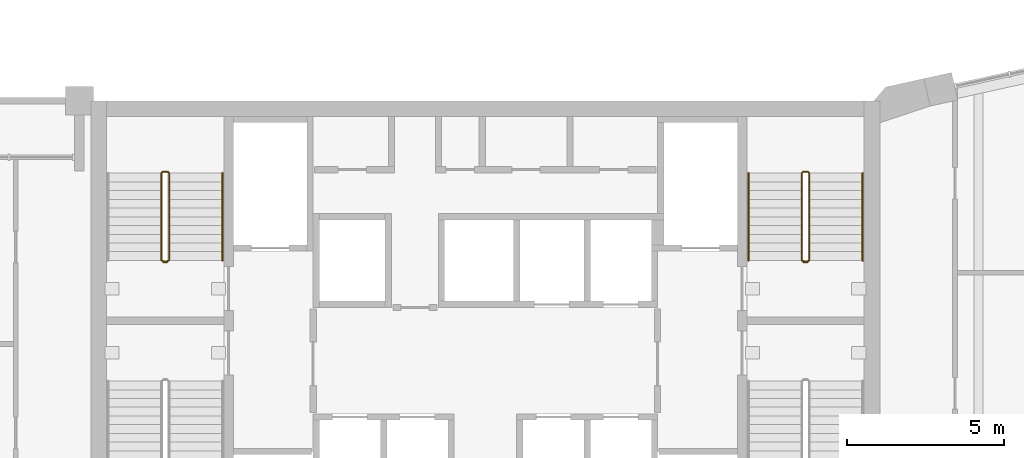
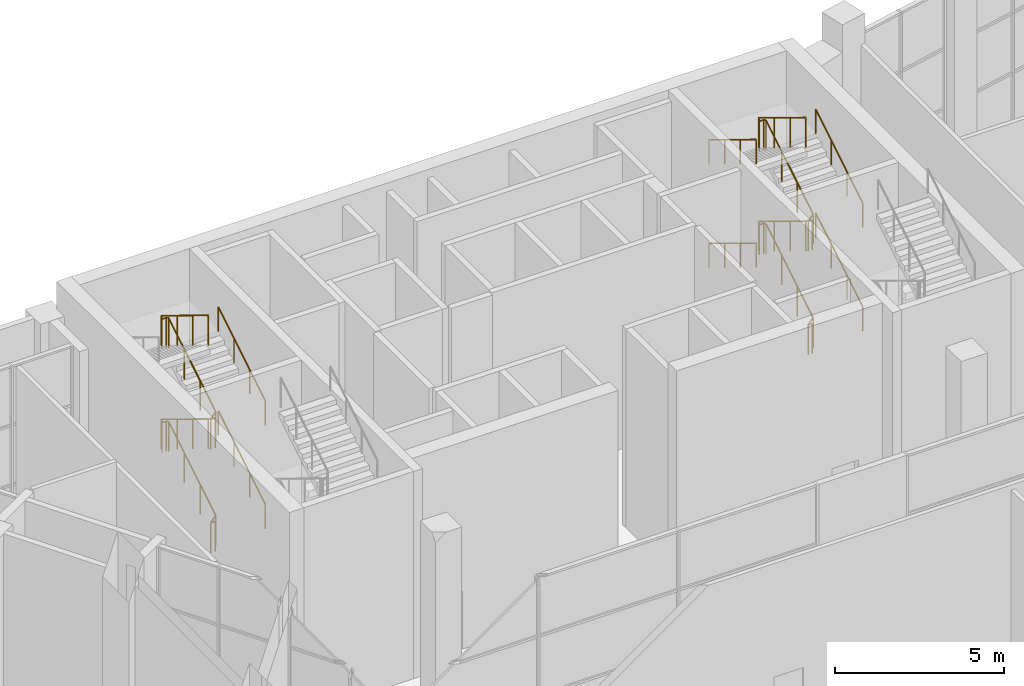
# One storey, part 14 of 14: 8 railings.
"""IFC4 building model written with IfcOpenShell, lengths in metres."""

from ifc_helpers import new_model, si_unit, direction, frame, origin, origin_2d, place, context, subcontext, project, spatial, circle, extrude, material, type_object, element, save


model = new_model("IFC4")

# Units and contexts
model_context = context("Model", 3, precision=1e-05, world=origin(), true_north=direction((0.0, 1.0)))
body_context = subcontext(model_context, "Body", "Model", "MODEL_VIEW")
ifc_project = project(units=[si_unit("LENGTHUNIT", "METRE"), si_unit("AREAUNIT", "SQUARE_METRE"), si_unit("VOLUMEUNIT", "CUBIC_METRE"), si_unit("PLANEANGLEUNIT", "RADIAN"), si_unit("MASSUNIT", "GRAM", prefix="KILO")], contexts=[model_context])

# Site, building, storey
site_placement = place(None, origin())
site = spatial("IfcSite", under=ifc_project, at=site_placement, CompositionType="ELEMENT")
building_placement = place(site_placement, origin())
building = spatial("IfcBuilding", under=site, at=building_placement, Name="Calabash Gate Tower", CompositionType="ELEMENT")
storey_placement = place(building_placement, frame((0.0, 0.0, 295.0)))
storey = spatial("IfcBuildingStorey", under=building, at=storey_placement, Name="L71", CompositionType="ELEMENT", Elevation=295.0)

# Railings
ifc_material_1 = material(Name="Black powder-coated steel balusters", Category="steel")
railing_type_1 = type_object("IfcRailingType", Name="Stair guard RL1100", PredefinedType="GUARDRAIL", material=ifc_material_1)
railing_1_placement = place(storey_placement, frame((-10.14990234375, 13.902587890625, 0.0)))
element("IfcRailing", 1, at=railing_1_placement, inside=storey, type_object=railing_type_1, Name="L71 ST1 stair guard 1", PredefinedType="GUARDRAIL", context=body_context, shape_type="SweptSolid", body=[
    extrude(circle(Radius=0.02392578125, at=origin_2d()), frame((0.0, 0.0, 1.076171875), z_axis=(-1.0, 0.0, 0.0), x_axis=(0.0, -1.0, 0.0)), (0.0, 0.0, 1.0), 0.150146484375),
    extrude(circle(Radius=0.02392578125, at=origin_2d()), frame((-0.150146484375, 0.0, 1.076171875), z_axis=(0.747644406186, 0.18713932023, 0.637186563514), x_axis=(-0.242814311512, 0.970072785993, 0.0)), (0.0, 0.0, 1.0), 0.267333984375),
    extrude(circle(Radius=0.02392578125, at=origin_2d()), frame((0.0498046875, 0.050048828125, 1.24658203125), z_axis=(0.0, 0.853340893827, 0.521353353229), x_axis=(-1.0, 0.0, 0.0)), (0.0, 0.0, 1.0), 3.26953125),
    extrude(circle(Radius=0.02392578125, at=origin_2d()), frame((0.0498046875, 2.840087890625, 2.951171875), z_axis=(-0.707106781187, 0.707106781187, 0.0), x_axis=(-0.707106781187, -0.707106781187, 0.0)), (0.0, 0.0, 1.0), 0.0703125),
    extrude(circle(Radius=0.02392578125, at=origin_2d()), frame((0.0, 2.889892578125, 2.951171875), z_axis=(-1.0, 0.0, 0.0), x_axis=(0.0, -1.0, 0.0)), (0.0, 0.0, 1.0), 0.150146484375),
    extrude(circle(Radius=0.02392578125, at=origin_2d()), frame((-0.150146484375, 2.889892578125, 2.951171875), z_axis=(-0.271328091682, -0.270004540015, 0.923839063385), x_axis=(0.705375805398, -0.708833529934, 0.0)), (0.0, 0.0, 1.0), 0.1845703125),
    extrude(circle(Radius=0.02392578125, at=origin_2d()), frame((-0.2001953125, 2.840087890625, 3.12158203125), z_axis=(0.0, -0.853340893827, 0.521353353229), x_axis=(1.0, 0.0, 0.0)), (0.0, 0.0, 1.0), 3.26953125),
    extrude(circle(Radius=0.02392578125, at=origin_2d()), frame((-0.2001953125, 0.050048828125, 4.826171875), z_axis=(0.970142500145, -0.242535625036, 0.0), x_axis=(0.242535625036, 0.970142500145, 0.0)), (0.0, 0.0, 1.0), 0.206298828125),
    extrude(circle(Radius=0.02392578125, at=origin_2d()), frame((0.0, 0.0, 4.826171875), z_axis=(-1.0, 0.0, 0.0), x_axis=(0.0, -1.0, 0.0)), (0.0, 0.0, 1.0), 0.150146484375),
    extrude(circle(Radius=0.02392578125, at=origin_2d()), frame((-0.150146484375, 0.0, 4.826171875), z_axis=(0.747644406186, 0.18713932023, 0.637186563514), x_axis=(-0.242814311512, 0.970072785993, 0.0)), (0.0, 0.0, 1.0), 0.267333984375),
    extrude(circle(Radius=0.02392578125, at=origin_2d()), frame((0.0498046875, 0.050048828125, 4.99658203125), z_axis=(0.0, 0.853340893827, 0.521353353229), x_axis=(-1.0, 0.0, 0.0)), (0.0, 0.0, 1.0), 3.26953125),
    extrude(circle(Radius=0.02392578125, at=origin_2d()), frame((0.0498046875, 2.840087890625, 6.701171875), z_axis=(-0.707106781187, 0.707106781187, 0.0), x_axis=(-0.707106781187, -0.707106781187, 0.0)), (0.0, 0.0, 1.0), 0.0703125),
    extrude(circle(Radius=0.02392578125, at=origin_2d()), frame((0.0, 2.889892578125, 6.701171875), z_axis=(-1.0, 0.0, 0.0), x_axis=(0.0, -1.0, 0.0)), (0.0, 0.0, 1.0), 0.150146484375),
    extrude(circle(Radius=0.02392578125, at=origin_2d()), frame((-0.150146484375, 2.889892578125, 6.701171875), z_axis=(-0.271328091682, -0.270004540015, 0.923839063385), x_axis=(0.705375805398, -0.708833529934, 0.0)), (0.0, 0.0, 1.0), 0.1845703125),
    extrude(circle(Radius=0.02392578125, at=origin_2d()), frame((-0.2001953125, 2.840087890625, 6.87158203125), z_axis=(0.0, -0.853340893827, 0.521353353229), x_axis=(1.0, 0.0, 0.0)), (0.0, 0.0, 1.0), 3.26953125),
    extrude(circle(Radius=0.02099609375, at=origin_2d()), origin(), (0.0, 0.0, 1.0), 1.052001953125),
    extrude(circle(Radius=0.02099609375, at=origin_2d()), frame((-0.150146484375, 0.0, 0.0)), (0.0, 0.0, 1.0), 1.052001953125),
    extrude(circle(Radius=0.02099609375, at=origin_2d()), frame((0.0498046875, 0.050048828125, 0.17041015625)), (0.0, 0.0, 1.0), 1.052001953125),
    extrude(circle(Radius=0.02099609375, at=origin_2d()), frame((0.0498046875, 0.97998046875, 0.738525390625)), (0.0, 0.0, 1.0), 1.052001953125),
    extrude(circle(Radius=0.02099609375, at=origin_2d()), frame((0.0498046875, 1.91015625, 1.306884765625)), (0.0, 0.0, 1.0), 1.052001953125),
    extrude(circle(Radius=0.02099609375, at=origin_2d()), frame((0.0498046875, 2.840087890625, 1.875)), (0.0, 0.0, 1.0), 1.052001953125),
    extrude(circle(Radius=0.02099609375, at=origin_2d()), frame((0.0, 2.889892578125, 1.875)), (0.0, 0.0, 1.0), 1.052001953125),
    extrude(circle(Radius=0.02099609375, at=origin_2d()), frame((-0.150146484375, 2.889892578125, 1.875)), (0.0, 0.0, 1.0), 1.052001953125),
    extrude(circle(Radius=0.02099609375, at=origin_2d()), frame((-0.2001953125, 2.840087890625, 2.04541015625)), (0.0, 0.0, 1.0), 1.052001953125),
    extrude(circle(Radius=0.02099609375, at=origin_2d()), frame((-0.2001953125, 1.91015625, 2.613525390625)), (0.0, 0.0, 1.0), 1.052001953125),
    extrude(circle(Radius=0.02099609375, at=origin_2d()), frame((-0.2001953125, 0.97998046875, 3.181884765625)), (0.0, 0.0, 1.0), 1.052001953125),
    extrude(circle(Radius=0.02099609375, at=origin_2d()), frame((-0.2001953125, 0.050048828125, 3.75)), (0.0, 0.0, 1.0), 1.052001953125),
    extrude(circle(Radius=0.02099609375, at=origin_2d()), frame((0.0, 0.0, 3.75)), (0.0, 0.0, 1.0), 1.052001953125),
    extrude(circle(Radius=0.02099609375, at=origin_2d()), frame((-0.150146484375, 0.0, 3.75)), (0.0, 0.0, 1.0), 1.052001953125),
    extrude(circle(Radius=0.02099609375, at=origin_2d()), frame((0.0498046875, 0.050048828125, 3.92041015625)), (0.0, 0.0, 1.0), 1.052001953125),
    extrude(circle(Radius=0.02099609375, at=origin_2d()), frame((0.0498046875, 0.97998046875, 4.488525390625)), (0.0, 0.0, 1.0), 1.052001953125),
    extrude(circle(Radius=0.02099609375, at=origin_2d()), frame((0.0498046875, 1.91015625, 5.056884765625)), (0.0, 0.0, 1.0), 1.052001953125),
    extrude(circle(Radius=0.02099609375, at=origin_2d()), frame((0.0498046875, 2.840087890625, 5.625)), (0.0, 0.0, 1.0), 1.052001953125),
    extrude(circle(Radius=0.02099609375, at=origin_2d()), frame((0.0, 2.889892578125, 5.625)), (0.0, 0.0, 1.0), 1.052001953125),
    extrude(circle(Radius=0.02099609375, at=origin_2d()), frame((-0.150146484375, 2.889892578125, 5.625)), (0.0, 0.0, 1.0), 1.052001953125),
    extrude(circle(Radius=0.02099609375, at=origin_2d()), frame((-0.2001953125, 2.840087890625, 5.79541015625)), (0.0, 0.0, 1.0), 1.052001953125),
    extrude(circle(Radius=0.02099609375, at=origin_2d()), frame((-0.2001953125, 1.91015625, 6.363525390625)), (0.0, 0.0, 1.0), 1.052001953125),
    extrude(circle(Radius=0.02099609375, at=origin_2d()), frame((-0.2001953125, 0.97998046875, 6.931884765625)), (0.0, 0.0, 1.0), 1.052001953125),
    extrude(circle(Radius=0.02099609375, at=origin_2d()), frame((-0.2001953125, 0.050048828125, 7.5)), (0.0, 0.0, 1.0), 1.052001953125),
])
railing_2_placement = place(storey_placement, frame((10.300048828125, 13.902587890625, 0.0)))
element("IfcRailing", 2, at=railing_2_placement, inside=storey, type_object=railing_type_1, Name="L71 ST3 stair guard 1", PredefinedType="GUARDRAIL", context=body_context, shape_type="SweptSolid", body=[
    extrude(circle(Radius=0.02392578125, at=origin_2d()), frame((0.0, 0.0, 1.076171875), z_axis=(-1.0, 0.0, 0.0), x_axis=(0.0, -1.0, 0.0)), (0.0, 0.0, 1.0), 0.150146484375),
    extrude(circle(Radius=0.02392578125, at=origin_2d()), frame((-0.150146484375, 0.0, 1.076171875), z_axis=(0.748046597492, 0.187011649373, 0.636751859816), x_axis=(-0.242535625036, 0.970142500145, 0.0)), (0.0, 0.0, 1.0), 0.267578125),
    extrude(circle(Radius=0.02392578125, at=origin_2d()), frame((0.050048828125, 0.050048828125, 1.24658203125), z_axis=(0.0, 0.853340893827, 0.521353353229), x_axis=(-1.0, 0.0, 0.0)), (0.0, 0.0, 1.0), 3.26953125),
    extrude(circle(Radius=0.02392578125, at=origin_2d()), frame((0.050048828125, 2.840087890625, 2.951171875), z_axis=(-0.708833529934, 0.705375805398, 0.0), x_axis=(-0.705375805398, -0.708833529934, 0.0)), (0.0, 0.0, 1.0), 0.070556640625),
    extrude(circle(Radius=0.02392578125, at=origin_2d()), frame((0.0, 2.889892578125, 2.951171875), z_axis=(-1.0, 0.0, 0.0), x_axis=(0.0, -1.0, 0.0)), (0.0, 0.0, 1.0), 0.150146484375),
    extrude(circle(Radius=0.02392578125, at=origin_2d()), frame((-0.150146484375, 2.889892578125, 2.951171875), z_axis=(-0.27010131868, -0.27010131868, 0.924170198229), x_axis=(0.707106781187, -0.707106781187, 0.0)), (0.0, 0.0, 1.0), 0.184326171875),
    extrude(circle(Radius=0.02392578125, at=origin_2d()), frame((-0.199951171875, 2.840087890625, 3.12158203125), z_axis=(0.0, -0.853340893827, 0.521353353229), x_axis=(1.0, 0.0, 0.0)), (0.0, 0.0, 1.0), 3.26953125),
    extrude(circle(Radius=0.02392578125, at=origin_2d()), frame((-0.199951171875, 0.050048828125, 4.826171875), z_axis=(0.970072785993, -0.242814311512, 0.0), x_axis=(0.242814311512, 0.970072785993, 0.0)), (0.0, 0.0, 1.0), 0.2060546875),
    extrude(circle(Radius=0.02392578125, at=origin_2d()), frame((0.0, 0.0, 4.826171875), z_axis=(-1.0, 0.0, 0.0), x_axis=(0.0, -1.0, 0.0)), (0.0, 0.0, 1.0), 0.150146484375),
    extrude(circle(Radius=0.02392578125, at=origin_2d()), frame((-0.150146484375, 0.0, 4.826171875), z_axis=(0.748046597492, 0.187011649373, 0.636751859816), x_axis=(-0.242535625036, 0.970142500145, 0.0)), (0.0, 0.0, 1.0), 0.267578125),
    extrude(circle(Radius=0.02392578125, at=origin_2d()), frame((0.050048828125, 0.050048828125, 4.99658203125), z_axis=(0.0, 0.853340893827, 0.521353353229), x_axis=(-1.0, 0.0, 0.0)), (0.0, 0.0, 1.0), 3.26953125),
    extrude(circle(Radius=0.02392578125, at=origin_2d()), frame((0.050048828125, 2.840087890625, 6.701171875), z_axis=(-0.708833529934, 0.705375805398, 0.0), x_axis=(-0.705375805398, -0.708833529934, 0.0)), (0.0, 0.0, 1.0), 0.070556640625),
    extrude(circle(Radius=0.02392578125, at=origin_2d()), frame((0.0, 2.889892578125, 6.701171875), z_axis=(-1.0, 0.0, 0.0), x_axis=(0.0, -1.0, 0.0)), (0.0, 0.0, 1.0), 0.150146484375),
    extrude(circle(Radius=0.02392578125, at=origin_2d()), frame((-0.150146484375, 2.889892578125, 6.701171875), z_axis=(-0.27010131868, -0.27010131868, 0.924170198229), x_axis=(0.707106781187, -0.707106781187, 0.0)), (0.0, 0.0, 1.0), 0.184326171875),
    extrude(circle(Radius=0.02392578125, at=origin_2d()), frame((-0.199951171875, 2.840087890625, 6.87158203125), z_axis=(0.0, -0.853340893827, 0.521353353229), x_axis=(1.0, 0.0, 0.0)), (0.0, 0.0, 1.0), 3.26953125),
    extrude(circle(Radius=0.02099609375, at=origin_2d()), origin(), (0.0, 0.0, 1.0), 1.052001953125),
    extrude(circle(Radius=0.02099609375, at=origin_2d()), frame((-0.150146484375, 0.0, 0.0)), (0.0, 0.0, 1.0), 1.052001953125),
    extrude(circle(Radius=0.02099609375, at=origin_2d()), frame((0.050048828125, 0.050048828125, 0.17041015625)), (0.0, 0.0, 1.0), 1.052001953125),
    extrude(circle(Radius=0.02099609375, at=origin_2d()), frame((0.050048828125, 0.97998046875, 0.738525390625)), (0.0, 0.0, 1.0), 1.052001953125),
    extrude(circle(Radius=0.02099609375, at=origin_2d()), frame((0.050048828125, 1.91015625, 1.306884765625)), (0.0, 0.0, 1.0), 1.052001953125),
    extrude(circle(Radius=0.02099609375, at=origin_2d()), frame((0.050048828125, 2.840087890625, 1.875)), (0.0, 0.0, 1.0), 1.052001953125),
    extrude(circle(Radius=0.02099609375, at=origin_2d()), frame((0.0, 2.889892578125, 1.875)), (0.0, 0.0, 1.0), 1.052001953125),
    extrude(circle(Radius=0.02099609375, at=origin_2d()), frame((-0.150146484375, 2.889892578125, 1.875)), (0.0, 0.0, 1.0), 1.052001953125),
    extrude(circle(Radius=0.02099609375, at=origin_2d()), frame((-0.199951171875, 2.840087890625, 2.04541015625)), (0.0, 0.0, 1.0), 1.052001953125),
    extrude(circle(Radius=0.02099609375, at=origin_2d()), frame((-0.199951171875, 1.91015625, 2.613525390625)), (0.0, 0.0, 1.0), 1.052001953125),
    extrude(circle(Radius=0.02099609375, at=origin_2d()), frame((-0.199951171875, 0.97998046875, 3.181884765625)), (0.0, 0.0, 1.0), 1.052001953125),
    extrude(circle(Radius=0.02099609375, at=origin_2d()), frame((-0.199951171875, 0.050048828125, 3.75)), (0.0, 0.0, 1.0), 1.052001953125),
    extrude(circle(Radius=0.02099609375, at=origin_2d()), frame((0.0, 0.0, 3.75)), (0.0, 0.0, 1.0), 1.052001953125),
    extrude(circle(Radius=0.02099609375, at=origin_2d()), frame((-0.150146484375, 0.0, 3.75)), (0.0, 0.0, 1.0), 1.052001953125),
    extrude(circle(Radius=0.02099609375, at=origin_2d()), frame((0.050048828125, 0.050048828125, 3.92041015625)), (0.0, 0.0, 1.0), 1.052001953125),
    extrude(circle(Radius=0.02099609375, at=origin_2d()), frame((0.050048828125, 0.97998046875, 4.488525390625)), (0.0, 0.0, 1.0), 1.052001953125),
    extrude(circle(Radius=0.02099609375, at=origin_2d()), frame((0.050048828125, 1.91015625, 5.056884765625)), (0.0, 0.0, 1.0), 1.052001953125),
    extrude(circle(Radius=0.02099609375, at=origin_2d()), frame((0.050048828125, 2.840087890625, 5.625)), (0.0, 0.0, 1.0), 1.052001953125),
    extrude(circle(Radius=0.02099609375, at=origin_2d()), frame((0.0, 2.889892578125, 5.625)), (0.0, 0.0, 1.0), 1.052001953125),
    extrude(circle(Radius=0.02099609375, at=origin_2d()), frame((-0.150146484375, 2.889892578125, 5.625)), (0.0, 0.0, 1.0), 1.052001953125),
    extrude(circle(Radius=0.02099609375, at=origin_2d()), frame((-0.199951171875, 2.840087890625, 5.79541015625)), (0.0, 0.0, 1.0), 1.052001953125),
    extrude(circle(Radius=0.02099609375, at=origin_2d()), frame((-0.199951171875, 1.91015625, 6.363525390625)), (0.0, 0.0, 1.0), 1.052001953125),
    extrude(circle(Radius=0.02099609375, at=origin_2d()), frame((-0.199951171875, 0.97998046875, 6.931884765625)), (0.0, 0.0, 1.0), 1.052001953125),
    extrude(circle(Radius=0.02099609375, at=origin_2d()), frame((-0.199951171875, 0.050048828125, 7.5)), (0.0, 0.0, 1.0), 1.052001953125),
])
ifc_material_2 = material(Name="Black powder-coated steel tube 48 mm", Category="steel")
railing_type_2 = type_object("IfcRailingType", Name="Stair handrail RL900", PredefinedType="HANDRAIL", material=ifc_material_2)
for number, where, name in (
    (3, (-8.39990234375, 13.95263671875, 0.17041015625), "L71 ST1 stair handrail 1"),
    (4, (-8.39990234375, 13.95263671875, 3.92041015625), "L71 ST1 stair handrail 3"),
    (5, (12.050048828125, 13.95263671875, 0.17041015625), "L71 ST3 stair handrail 1"),
):
    element("IfcRailing", number, at=place(storey_placement, frame(where)), inside=storey, type_object=railing_type_2, Name=name, PredefinedType="HANDRAIL", context=body_context, shape_type="SweptSolid", body=[
        extrude(circle(Radius=0.02392578125, at=origin_2d()), frame((0.0, 0.0, 0.8759765625), z_axis=(0.0, 0.853340893827, 0.521353353229), x_axis=(-1.0, 0.0, 0.0)), (0.0, 0.0, 1.0), 3.26953125),
        extrude(circle(Radius=0.02099609375, at=origin_2d()), origin(), (0.0, 0.0, 1.0), 0.851806640625),
        extrude(circle(Radius=0.02099609375, at=origin_2d()), frame((0.0, 0.929931640625, 0.568115234375)), (0.0, 0.0, 1.0), 0.851806640625),
        extrude(circle(Radius=0.02099609375, at=origin_2d()), frame((0.0, 1.860107421875, 1.136474609375)), (0.0, 0.0, 1.0), 0.851806640625),
        extrude(circle(Radius=0.02099609375, at=origin_2d()), frame((0.0, 2.7900390625, 1.70458984375)), (0.0, 0.0, 1.0), 0.851806640625),
    ])
railing_3_placement = place(storey_placement, frame((8.39990234375, 16.74267578125, 2.04541015625)))
element("IfcRailing", 6, at=railing_3_placement, inside=storey, type_object=railing_type_2, Name="L71 ST3 stair handrail 2", PredefinedType="HANDRAIL", context=body_context, shape_type="SweptSolid", body=[
    extrude(circle(Radius=0.02392578125, at=origin_2d()), frame((0.0, 0.0, 0.8759765625), z_axis=(0.0, -0.853340893827, 0.521353353229), x_axis=(1.0, 0.0, 0.0)), (0.0, 0.0, 1.0), 3.26953125),
    extrude(circle(Radius=0.02099609375, at=origin_2d()), origin(), (0.0, 0.0, 1.0), 0.851806640625),
    extrude(circle(Radius=0.02099609375, at=origin_2d()), frame((0.0, -0.929931640625, 0.568115234375)), (0.0, 0.0, 1.0), 0.851806640625),
    extrude(circle(Radius=0.02099609375, at=origin_2d()), frame((0.0, -1.860107421875, 1.136474609375)), (0.0, 0.0, 1.0), 0.851806640625),
    extrude(circle(Radius=0.02099609375, at=origin_2d()), frame((0.0, -2.7900390625, 1.70458984375)), (0.0, 0.0, 1.0), 0.851806640625),
])
railing_4_placement = place(storey_placement, frame((12.050048828125, 13.95263671875, 3.92041015625)))
element("IfcRailing", 7, at=railing_4_placement, inside=storey, type_object=railing_type_2, Name="L71 ST3 stair handrail 3", PredefinedType="HANDRAIL", context=body_context, shape_type="SweptSolid", body=[
    extrude(circle(Radius=0.02392578125, at=origin_2d()), frame((0.0, 0.0, 0.8759765625), z_axis=(0.0, 0.853340893827, 0.521353353229), x_axis=(-1.0, 0.0, 0.0)), (0.0, 0.0, 1.0), 3.26953125),
    extrude(circle(Radius=0.02099609375, at=origin_2d()), origin(), (0.0, 0.0, 1.0), 0.851806640625),
    extrude(circle(Radius=0.02099609375, at=origin_2d()), frame((0.0, 0.929931640625, 0.568115234375)), (0.0, 0.0, 1.0), 0.851806640625),
    extrude(circle(Radius=0.02099609375, at=origin_2d()), frame((0.0, 1.860107421875, 1.136474609375)), (0.0, 0.0, 1.0), 0.851806640625),
    extrude(circle(Radius=0.02099609375, at=origin_2d()), frame((0.0, 2.7900390625, 1.70458984375)), (0.0, 0.0, 1.0), 0.851806640625),
])
railing_5_placement = place(storey_placement, frame((8.39990234375, 16.74267578125, 5.79541015625)))
element("IfcRailing", 8, at=railing_5_placement, inside=storey, type_object=railing_type_2, Name="L71 ST3 stair handrail 4", PredefinedType="HANDRAIL", context=body_context, shape_type="SweptSolid", body=[
    extrude(circle(Radius=0.02392578125, at=origin_2d()), frame((0.0, 0.0, 0.8759765625), z_axis=(0.0, -0.853340893827, 0.521353353229), x_axis=(1.0, 0.0, 0.0)), (0.0, 0.0, 1.0), 3.26953125),
    extrude(circle(Radius=0.02099609375, at=origin_2d()), origin(), (0.0, 0.0, 1.0), 0.851806640625),
    extrude(circle(Radius=0.02099609375, at=origin_2d()), frame((0.0, -0.929931640625, 0.568115234375)), (0.0, 0.0, 1.0), 0.851806640625),
    extrude(circle(Radius=0.02099609375, at=origin_2d()), frame((0.0, -1.860107421875, 1.136474609375)), (0.0, 0.0, 1.0), 0.851806640625),
    extrude(circle(Radius=0.02099609375, at=origin_2d()), frame((0.0, -2.7900390625, 1.70458984375)), (0.0, 0.0, 1.0), 0.851806640625),
])

save(model, "model.ifc")
